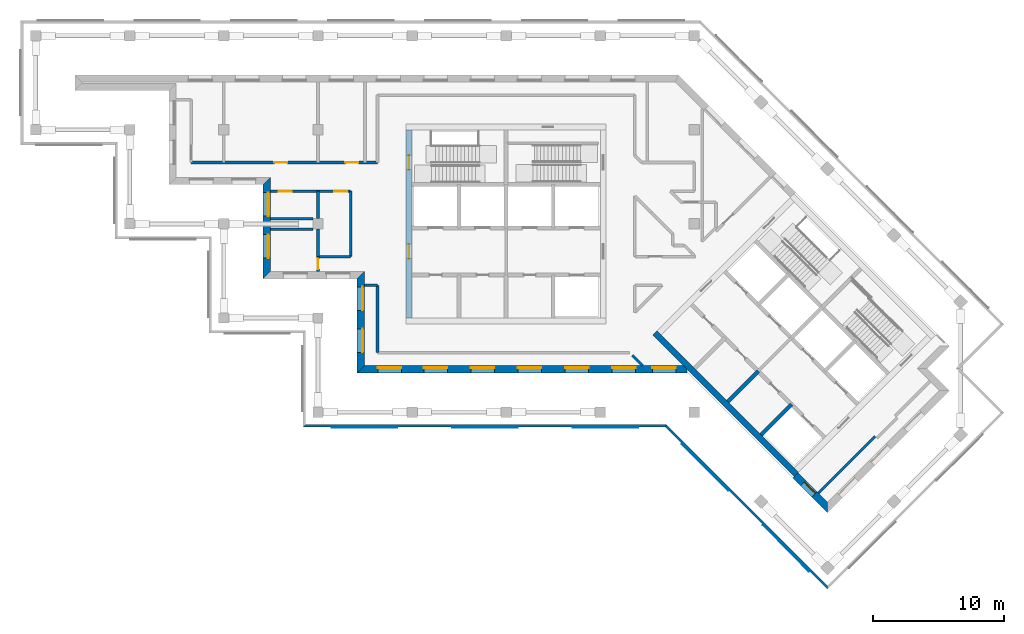
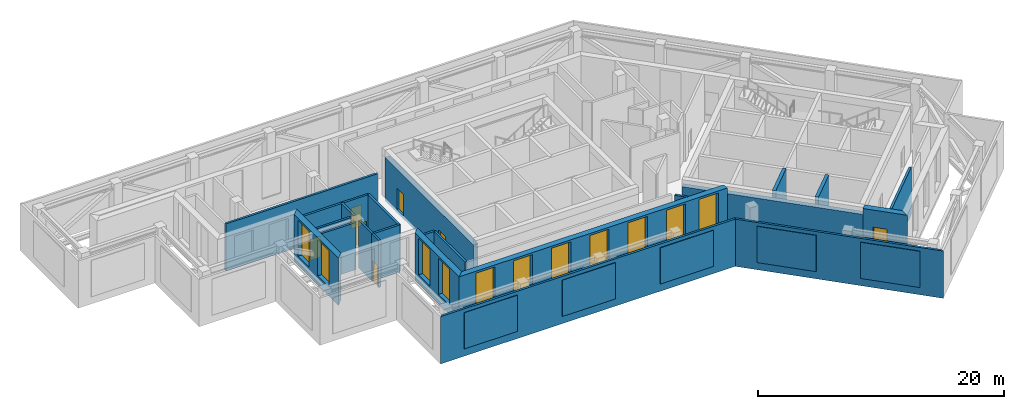
# One storey, part 3 of 9: 23 walls, 12 windows, 7 doors, 5 plates, 19 openings.
"""IFC4 building model written with IfcOpenShell, lengths in metres."""

from ifc_helpers import new_model, si_unit, direction, frame, frame_2d, origin, place, context, subcontext, project, spatial, polyline, rectangle, outline, extrude, material, layer, layer_set, type_object, element, fill, aggregate, save


model = new_model("IFC4")

# Units and contexts
model_context = context("Model", 3, precision=1e-05, world=origin(), true_north=direction((0.0, 1.0)))
body_context = subcontext(model_context, "Body", "Model", "MODEL_VIEW")
ifc_project = project(units=[si_unit("LENGTHUNIT", "METRE"), si_unit("AREAUNIT", "SQUARE_METRE"), si_unit("VOLUMEUNIT", "CUBIC_METRE"), si_unit("PLANEANGLEUNIT", "RADIAN"), si_unit("MASSUNIT", "GRAM", prefix="KILO")], contexts=[model_context])

# Plate
ifc_material_1 = material(Name="Aluminium louvre", Category="aluminium")
ifc_layer_1 = layer(ifc_material_1, 0.05)
ifc_layer_set_1 = layer_set([ifc_layer_1], Name="Belt louvre panel 5000x3600")
plate_type = type_object("IfcPlateType", Name="Belt louvre panel 5000x3600", PredefinedType="SHEET", material=ifc_layer_set_1)
site_placement = place(None, origin())
building_placement = place(site_placement, origin())
storey_placement = place(building_placement, frame((0.0, 0.0, 234.6)))
plate_1_placement = place(storey_placement, frame((51.4613, 42.0, 0.75), z_axis=(0.0, -1.0, 0.0), x_axis=(1.0, 0.0, 0.0)))
plate_1 = element("IfcPlate", 1, at=plate_1_placement, type_object=plate_type, Name="Belt louvre panel L64 63.1", PredefinedType="SHEET", context=body_context, shape_type="SweptSolid", body=[
    extrude(outline(polyline([(0.0, 0.0), (5.0, 0.0), (5.0, 3.6), (0.0, 3.6), (0.0, 0.0)])), origin(), (0.0, 0.0, -1.0), 0.05),
])

plate_2_placement = place(storey_placement, frame((60.684, 42.0, 0.75), z_axis=(0.0, -1.0, 0.0), x_axis=(1.0, 0.0, 0.0)))
plate_2 = element("IfcPlate", 2, at=plate_2_placement, type_object=plate_type, Name="Belt louvre panel L64 64.2", PredefinedType="SHEET", context=body_context, shape_type="SweptSolid", body=[
    extrude(outline(polyline([(0.0, 0.0), (5.0, 0.0), (5.0, 3.6), (0.0, 3.6), (0.0, 0.0)])), origin(), (0.0, 0.0, -1.0), 0.05),
])

plate_3_placement = place(storey_placement, frame((69.9067, 42.0, 0.75), z_axis=(0.0, -1.0, 0.0), x_axis=(1.0, 0.0, 0.0)))
plate_3 = element("IfcPlate", 3, at=plate_3_placement, type_object=plate_type, Name="Belt louvre panel L64 65.3", PredefinedType="SHEET", context=body_context, shape_type="SweptSolid", body=[
    extrude(outline(polyline([(0.0, 0.0), (5.0, 0.0), (5.0, 3.6), (0.0, 3.6), (0.0, 0.0)])), origin(), (0.0, 0.0, -1.0), 0.05),
])

plate_4_placement = place(storey_placement, frame((78.2353, 40.7207, 0.75), z_axis=(-0.7071167811, -0.7070967812, 0.0), x_axis=(0.7070967812, -0.7071167811, 0.0)))
plate_4 = element("IfcPlate", 4, at=plate_4_placement, type_object=plate_type, Name="Belt louvre panel L64 70.1", PredefinedType="SHEET", context=body_context, shape_type="SweptSolid", body=[
    extrude(outline(polyline([(0.0, 0.0), (5.0, 0.0), (5.0, 3.6), (0.0, 3.6), (0.0, 0.0)])), origin(), (0.0, 0.0, -1.0), 0.05),
])

plate_5_placement = place(storey_placement, frame((84.4174, 34.5385, 0.75), z_axis=(-0.7070967812, -0.7071167811, 0.0), x_axis=(0.7071167811, -0.7070967812, 0.0)))
plate_5 = element("IfcPlate", 5, at=plate_5_placement, type_object=plate_type, Name="Belt louvre panel L64 71.2", PredefinedType="SHEET", context=body_context, shape_type="SweptSolid", body=[
    extrude(outline(polyline([(0.0, 0.0), (5.0, 0.0), (5.0, 3.6), (0.0, 3.6), (0.0, 0.0)])), origin(), (0.0, 0.0, -1.0), 0.05),
])

# Site, building, storey
site = spatial("IfcSite", under=ifc_project, at=site_placement, CompositionType="ELEMENT")
building = spatial("IfcBuilding", under=site, at=building_placement, Name="Windrow Commons", CompositionType="ELEMENT")
storey = spatial("IfcBuildingStorey", under=building, at=storey_placement, Name="L64", CompositionType="ELEMENT", Elevation=234.6)

# Wall
ifc_material_2 = material(Name="Concrete C40/50 precast screen panel", Category="concrete")
ifc_layer_2 = layer(ifc_material_2, 0.2)
ifc_layer_set_2 = layer_set([ifc_layer_2], Name="Belt screen wall 200")
wall_type_1 = type_object("IfcWallType", Name="Belt screen wall 200", PredefinedType="SOLIDWALL", material=ifc_layer_set_2)
wall_1_placement = place(storey_placement, frame((49.35, 42.15, 0.0), z_axis=(0.0, 0.0, 1.0), x_axis=(1.0, 0.0, 0.0)))
wall_1 = element("IfcWall", 6, at=wall_1_placement, inside=storey, type_object=wall_type_1, Name="Belt screen wall L64 63", PredefinedType="SOLIDWALL", context=body_context, shape_type="SweptSolid", body=[
    extrude(outline(polyline([(-0.1, -0.1), (27.6266, -0.1), (27.7095, 0.1), (0.1, 0.1), (-0.1, -0.1)])), origin(), (0.0, 0.0, 1.0), 4.7),
])

aggregate(wall_1, [plate_1, plate_2, plate_3])

wall_2_placement = place(storey_placement, frame((77.0181, 42.15, 0.0), z_axis=(0.0, 0.0, 1.0), x_axis=(0.7071039217, -0.7071096407, 0.0)))
wall_2 = element("IfcWall", 7, at=wall_2_placement, inside=storey, type_object=wall_type_1, Name="Belt screen wall L64 70", PredefinedType="SOLIDWALL", context=body_context, shape_type="SweptSolid", body=[
    extrude(outline(polyline([(0.0414, -0.1), (17.5857, -0.1), (17.3857, 0.1), (-0.0414, 0.1), (0.0414, -0.1)])), origin(), (0.0, 0.0, 1.0), 4.7),
])

aggregate(wall_2, [plate_4, plate_5])

# Wall, openings, windows
ifc_material_3 = material(Name="Brick masonry, red clay brick", Category="masonry")
ifc_layer_3 = layer(ifc_material_3, 0.55)
ifc_layer_set_3 = layer_set([ifc_layer_3], Name="Brick facade wall 550")
wall_type_2 = type_object("IfcWallType", Name="Brick facade wall 550", PredefinedType="SOLIDWALL", material=ifc_layer_set_3)
wall_3_placement = place(storey_placement, frame((46.475, 60.875, 0.0), z_axis=(0.0, 0.0, 1.0), x_axis=(0.0, -1.0, 0.0)))
wall_3 = element("IfcWall", 8, at=wall_3_placement, inside=storey, type_object=wall_type_2, Name="Brick facade wall L64 9", PredefinedType="SOLIDWALL", context=body_context, shape_type="SweptSolid", body=[
    extrude(outline(polyline([(0.275, -0.275), (7.475, -0.275), (6.925, 0.275), (-0.275, 0.275), (0.275, -0.275)])), origin(), (0.0, 0.0, 1.0), 4.7),
])
opening_1_placement = place(wall_3_placement, frame((0.8875, 0.0, 0.9)))
opening_1 = element("IfcOpeningElement", 9, at=opening_1_placement, cuts=wall_3, Name="Opening LV2", PredefinedType="OPENING", context=body_context, shape_type="SweptSolid", body=[
    extrude(rectangle(XDim=1.8, YDim=3.6, at=frame_2d((0.9, 1.8))), frame((0.0, 0.285, 0.0), z_axis=(0.0, -1.0, 0.0), x_axis=(1.0, 0.0, 0.0)), (0.0, 0.0, 1.0), 0.57),
])
opening_2_placement = place(wall_3_placement, frame((4.1, 0.0, 0.9)))
opening_2 = element("IfcOpeningElement", 10, at=opening_2_placement, cuts=wall_3, Name="Opening LV2", PredefinedType="OPENING", context=body_context, shape_type="SweptSolid", body=[
    extrude(rectangle(XDim=1.8, YDim=3.6, at=frame_2d((0.9, 1.8))), frame((0.0, 0.285, 0.0), z_axis=(0.0, -1.0, 0.0), x_axis=(1.0, 0.0, 0.0)), (0.0, 0.0, 1.0), 0.57),
])
ifc_material_4 = material(Name="Aluminium 6063-T6 anodised louvre", Category="aluminium")
window_type_1 = type_object("IfcWindowType", Name="Plant louvre 1800x3600", PartitioningType="SINGLE_PANEL", PredefinedType="WINDOW", material=ifc_material_4)
window_1_placement = place(opening_1_placement, origin())
window_1 = element("IfcWindow", 11, at=window_1_placement, inside=storey, type_object=window_type_1, Name="Louvre L64 9.1", OverallHeight=3.6, OverallWidth=1.8, PartitioningType="SINGLE_PANEL", PredefinedType="WINDOW", context=body_context, shape_type="SweptSolid", body=[
    extrude(rectangle(XDim=1.8, YDim=3.6, at=frame_2d((0.9, 1.8))), frame((0.0, 0.155, 0.0), z_axis=(0.0, -1.0, 0.0), x_axis=(1.0, 0.0, 0.0)), (0.0, 0.0, 1.0), 0.06),
])
fill(opening_1, window_1)
window_2_placement = place(opening_2_placement, origin())
window_2 = element("IfcWindow", 12, at=window_2_placement, inside=storey, type_object=window_type_1, Name="Louvre L64 9.2", OverallHeight=3.6, OverallWidth=1.8, PartitioningType="SINGLE_PANEL", PredefinedType="WINDOW", context=body_context, shape_type="SweptSolid", body=[
    extrude(rectangle(XDim=1.8, YDim=3.6, at=frame_2d((0.9, 1.8))), frame((0.0, 0.155, 0.0), z_axis=(0.0, -1.0, 0.0), x_axis=(1.0, 0.0, 0.0)), (0.0, 0.0, 1.0), 0.06),
])
fill(opening_2, window_2)

wall_4_placement = place(storey_placement, frame((53.675, 53.675, 0.0), z_axis=(0.0, 0.0, 1.0), x_axis=(0.0, -1.0, 0.0)))
wall_4 = element("IfcWall", 13, at=wall_4_placement, inside=storey, type_object=wall_type_2, Name="Brick facade wall L64 11", PredefinedType="SOLIDWALL", context=body_context, shape_type="SweptSolid", body=[
    extrude(outline(polyline([(0.275, -0.275), (7.475, -0.275), (6.925, 0.275), (-0.275, 0.275), (0.275, -0.275)])), origin(), (0.0, 0.0, 1.0), 4.7),
])
opening_3_placement = place(wall_4_placement, frame((0.8875, 0.0, 0.9)))
opening_3 = element("IfcOpeningElement", 14, at=opening_3_placement, cuts=wall_4, Name="Opening LV2", PredefinedType="OPENING", context=body_context, shape_type="SweptSolid", body=[
    extrude(rectangle(XDim=1.8, YDim=3.6, at=frame_2d((0.9, 1.8))), frame((0.0, 0.285, 0.0), z_axis=(0.0, -1.0, 0.0), x_axis=(1.0, 0.0, 0.0)), (0.0, 0.0, 1.0), 0.57),
])
opening_4_placement = place(wall_4_placement, frame((4.1, 0.0, 0.9)))
opening_4 = element("IfcOpeningElement", 15, at=opening_4_placement, cuts=wall_4, Name="Opening LV2", PredefinedType="OPENING", context=body_context, shape_type="SweptSolid", body=[
    extrude(rectangle(XDim=1.8, YDim=3.6, at=frame_2d((0.9, 1.8))), frame((0.0, 0.285, 0.0), z_axis=(0.0, -1.0, 0.0), x_axis=(1.0, 0.0, 0.0)), (0.0, 0.0, 1.0), 0.57),
])
window_3_placement = place(opening_3_placement, origin())
window_3 = element("IfcWindow", 16, at=window_3_placement, inside=storey, type_object=window_type_1, Name="Louvre L64 11.1", OverallHeight=3.6, OverallWidth=1.8, PartitioningType="SINGLE_PANEL", PredefinedType="WINDOW", context=body_context, shape_type="SweptSolid", body=[
    extrude(rectangle(XDim=1.8, YDim=3.6, at=frame_2d((0.9, 1.8))), frame((0.0, 0.155, 0.0), z_axis=(0.0, -1.0, 0.0), x_axis=(1.0, 0.0, 0.0)), (0.0, 0.0, 1.0), 0.06),
])
fill(opening_3, window_3)
window_4_placement = place(opening_4_placement, origin())
window_4 = element("IfcWindow", 17, at=window_4_placement, inside=storey, type_object=window_type_1, Name="Louvre L64 11.2", OverallHeight=3.6, OverallWidth=1.8, PartitioningType="SINGLE_PANEL", PredefinedType="WINDOW", context=body_context, shape_type="SweptSolid", body=[
    extrude(rectangle(XDim=1.8, YDim=3.6, at=frame_2d((0.9, 1.8))), frame((0.0, 0.155, 0.0), z_axis=(0.0, -1.0, 0.0), x_axis=(1.0, 0.0, 0.0)), (0.0, 0.0, 1.0), 0.06),
])
fill(opening_4, window_4)

wall_5_placement = place(storey_placement, frame((53.675, 46.475, 0.0), z_axis=(0.0, 0.0, 1.0), x_axis=(1.0, 0.0, 0.0)))
wall_5 = element("IfcWall", 18, at=wall_5_placement, inside=storey, type_object=wall_type_2, Name="Brick facade wall L64 12", PredefinedType="SOLIDWALL", context=body_context, shape_type="SweptSolid", body=[
    extrude(outline(polyline([(-0.275, -0.275), (24.9577, -0.275), (24.9577, 0.275), (0.275, 0.275), (-0.275, -0.275)])), origin(), (0.0, 0.0, 1.0), 4.7),
])
opening_5_placement = place(wall_5_placement, frame((1.3, 0.0, 0.9)))
opening_5 = element("IfcOpeningElement", 19, at=opening_5_placement, cuts=wall_5, Name="Opening LV2", PredefinedType="OPENING", context=body_context, shape_type="SweptSolid", body=[
    extrude(rectangle(XDim=1.8, YDim=3.6, at=frame_2d((0.9, 1.8))), frame((0.0, 0.285, 0.0), z_axis=(0.0, -1.0, 0.0), x_axis=(1.0, 0.0, 0.0)), (0.0, 0.0, 1.0), 0.57),
])
opening_6_placement = place(wall_5_placement, frame((4.825, 0.0, 0.9)))
opening_6 = element("IfcOpeningElement", 20, at=opening_6_placement, cuts=wall_5, Name="Opening LV2", PredefinedType="OPENING", context=body_context, shape_type="SweptSolid", body=[
    extrude(rectangle(XDim=1.8, YDim=3.6, at=frame_2d((0.9, 1.8))), frame((0.0, 0.285, 0.0), z_axis=(0.0, -1.0, 0.0), x_axis=(1.0, 0.0, 0.0)), (0.0, 0.0, 1.0), 0.57),
])
opening_7_placement = place(wall_5_placement, frame((8.425, 0.0, 0.9)))
opening_7 = element("IfcOpeningElement", 21, at=opening_7_placement, cuts=wall_5, Name="Opening LV2", PredefinedType="OPENING", context=body_context, shape_type="SweptSolid", body=[
    extrude(rectangle(XDim=1.8, YDim=3.6, at=frame_2d((0.9, 1.8))), frame((0.0, 0.285, 0.0), z_axis=(0.0, -1.0, 0.0), x_axis=(1.0, 0.0, 0.0)), (0.0, 0.0, 1.0), 0.57),
])
opening_8_placement = place(wall_5_placement, frame((12.025, 0.0, 0.9)))
opening_8 = element("IfcOpeningElement", 22, at=opening_8_placement, cuts=wall_5, Name="Opening LV2", PredefinedType="OPENING", context=body_context, shape_type="SweptSolid", body=[
    extrude(rectangle(XDim=1.8, YDim=3.6, at=frame_2d((0.9, 1.8))), frame((0.0, 0.285, 0.0), z_axis=(0.0, -1.0, 0.0), x_axis=(1.0, 0.0, 0.0)), (0.0, 0.0, 1.0), 0.57),
])
opening_9_placement = place(wall_5_placement, frame((15.625, 0.0, 0.9)))
opening_9 = element("IfcOpeningElement", 23, at=opening_9_placement, cuts=wall_5, Name="Opening LV2", PredefinedType="OPENING", context=body_context, shape_type="SweptSolid", body=[
    extrude(rectangle(XDim=1.8, YDim=3.6, at=frame_2d((0.9, 1.8))), frame((0.0, 0.285, 0.0), z_axis=(0.0, -1.0, 0.0), x_axis=(1.0, 0.0, 0.0)), (0.0, 0.0, 1.0), 0.57),
])
opening_10_placement = place(wall_5_placement, frame((19.225, 0.0, 0.9)))
opening_10 = element("IfcOpeningElement", 24, at=opening_10_placement, cuts=wall_5, Name="Opening LV2", PredefinedType="OPENING", context=body_context, shape_type="SweptSolid", body=[
    extrude(rectangle(XDim=1.8, YDim=3.6, at=frame_2d((0.9, 1.8))), frame((0.0, 0.285, 0.0), z_axis=(0.0, -1.0, 0.0), x_axis=(1.0, 0.0, 0.0)), (0.0, 0.0, 1.0), 0.57),
])
opening_11_placement = place(wall_5_placement, frame((22.3, 0.0, 0.9)))
opening_11 = element("IfcOpeningElement", 25, at=opening_11_placement, cuts=wall_5, Name="Opening LV2", PredefinedType="OPENING", context=body_context, shape_type="SweptSolid", body=[
    extrude(rectangle(XDim=1.8, YDim=3.6, at=frame_2d((0.9, 1.8))), frame((0.0, 0.285, 0.0), z_axis=(0.0, -1.0, 0.0), x_axis=(1.0, 0.0, 0.0)), (0.0, 0.0, 1.0), 0.57),
])
window_5_placement = place(opening_5_placement, origin())
window_5 = element("IfcWindow", 26, at=window_5_placement, inside=storey, type_object=window_type_1, Name="Louvre L64 12.1", OverallHeight=3.6, OverallWidth=1.8, PartitioningType="SINGLE_PANEL", PredefinedType="WINDOW", context=body_context, shape_type="SweptSolid", body=[
    extrude(rectangle(XDim=1.8, YDim=3.6, at=frame_2d((0.9, 1.8))), frame((0.0, 0.155, 0.0), z_axis=(0.0, -1.0, 0.0), x_axis=(1.0, 0.0, 0.0)), (0.0, 0.0, 1.0), 0.06),
])
fill(opening_5, window_5)
window_6_placement = place(opening_6_placement, origin())
window_6 = element("IfcWindow", 27, at=window_6_placement, inside=storey, type_object=window_type_1, Name="Louvre L64 12.2", OverallHeight=3.6, OverallWidth=1.8, PartitioningType="SINGLE_PANEL", PredefinedType="WINDOW", context=body_context, shape_type="SweptSolid", body=[
    extrude(rectangle(XDim=1.8, YDim=3.6, at=frame_2d((0.9, 1.8))), frame((0.0, 0.155, 0.0), z_axis=(0.0, -1.0, 0.0), x_axis=(1.0, 0.0, 0.0)), (0.0, 0.0, 1.0), 0.06),
])
fill(opening_6, window_6)
window_7_placement = place(opening_7_placement, origin())
window_7 = element("IfcWindow", 28, at=window_7_placement, inside=storey, type_object=window_type_1, Name="Louvre L64 12.3", OverallHeight=3.6, OverallWidth=1.8, PartitioningType="SINGLE_PANEL", PredefinedType="WINDOW", context=body_context, shape_type="SweptSolid", body=[
    extrude(rectangle(XDim=1.8, YDim=3.6, at=frame_2d((0.9, 1.8))), frame((0.0, 0.155, 0.0), z_axis=(0.0, -1.0, 0.0), x_axis=(1.0, 0.0, 0.0)), (0.0, 0.0, 1.0), 0.06),
])
fill(opening_7, window_7)
window_8_placement = place(opening_8_placement, origin())
window_8 = element("IfcWindow", 29, at=window_8_placement, inside=storey, type_object=window_type_1, Name="Louvre L64 12.4", OverallHeight=3.6, OverallWidth=1.8, PartitioningType="SINGLE_PANEL", PredefinedType="WINDOW", context=body_context, shape_type="SweptSolid", body=[
    extrude(rectangle(XDim=1.8, YDim=3.6, at=frame_2d((0.9, 1.8))), frame((0.0, 0.155, 0.0), z_axis=(0.0, -1.0, 0.0), x_axis=(1.0, 0.0, 0.0)), (0.0, 0.0, 1.0), 0.06),
])
fill(opening_8, window_8)
window_9_placement = place(opening_9_placement, origin())
window_9 = element("IfcWindow", 30, at=window_9_placement, inside=storey, type_object=window_type_1, Name="Louvre L64 12.5", OverallHeight=3.6, OverallWidth=1.8, PartitioningType="SINGLE_PANEL", PredefinedType="WINDOW", context=body_context, shape_type="SweptSolid", body=[
    extrude(rectangle(XDim=1.8, YDim=3.6, at=frame_2d((0.9, 1.8))), frame((0.0, 0.155, 0.0), z_axis=(0.0, -1.0, 0.0), x_axis=(1.0, 0.0, 0.0)), (0.0, 0.0, 1.0), 0.06),
])
fill(opening_9, window_9)
window_10_placement = place(opening_10_placement, origin())
window_10 = element("IfcWindow", 31, at=window_10_placement, inside=storey, type_object=window_type_1, Name="Louvre L64 12.6", OverallHeight=3.6, OverallWidth=1.8, PartitioningType="SINGLE_PANEL", PredefinedType="WINDOW", context=body_context, shape_type="SweptSolid", body=[
    extrude(rectangle(XDim=1.8, YDim=3.6, at=frame_2d((0.9, 1.8))), frame((0.0, 0.155, 0.0), z_axis=(0.0, -1.0, 0.0), x_axis=(1.0, 0.0, 0.0)), (0.0, 0.0, 1.0), 0.06),
])
fill(opening_10, window_10)
window_11_placement = place(opening_11_placement, origin())
window_11 = element("IfcWindow", 32, at=window_11_placement, inside=storey, type_object=window_type_1, Name="Louvre L64 12.7", OverallHeight=3.6, OverallWidth=1.8, PartitioningType="SINGLE_PANEL", PredefinedType="WINDOW", context=body_context, shape_type="SweptSolid", body=[
    extrude(rectangle(XDim=1.8, YDim=3.6, at=frame_2d((0.9, 1.8))), frame((0.0, 0.155, 0.0), z_axis=(0.0, -1.0, 0.0), x_axis=(1.0, 0.0, 0.0)), (0.0, 0.0, 1.0), 0.06),
])
fill(opening_11, window_11)

# Wall, opening, window
wall_6_placement = place(storey_placement, frame((86.9252, 38.3594, 0.0), z_axis=(0.0, 0.0, 1.0), x_axis=(0.7070923923, -0.7071211698, 0.0)))
wall_6 = element("IfcWall", 33, at=wall_6_placement, inside=storey, type_object=wall_type_2, Name="Brick facade wall L64 13", PredefinedType="SOLIDWALL", context=body_context, shape_type="SweptSolid", body=[
    extrude(outline(polyline([(0.0, -0.275), (3.7499, -0.275), (3.1999, 0.275), (0.0, 0.275), (0.0, -0.275)])), origin(), (0.0, 0.0, 1.0), 4.7),
])
opening_12_placement = place(wall_6_placement, frame((0.8494, 0.0, 0.7)))
opening_12 = element("IfcOpeningElement", 34, at=opening_12_placement, cuts=wall_6, Name="Opening W7C", PredefinedType="OPENING", context=body_context, shape_type="SweptSolid", body=[
    extrude(rectangle(XDim=1.2, YDim=2.3, at=frame_2d((0.6, 1.15))), frame((0.0, 0.285, 0.0), z_axis=(0.0, -1.0, 0.0), x_axis=(1.0, 0.0, 0.0)), (0.0, 0.0, 1.0), 0.57),
])
ifc_material_5 = material(Name="Clear float glass in anodised aluminium frame", Category="aluminium")
window_type_2 = type_object("IfcWindowType", Name="Window W7 notch 1200x2300", PartitioningType="SINGLE_PANEL", PredefinedType="WINDOW", material=ifc_material_5)
window_12_placement = place(opening_12_placement, origin())
window_12 = element("IfcWindow", 35, at=window_12_placement, inside=storey, type_object=window_type_2, Name="Louvre L64 13.1A", OverallHeight=2.3, OverallWidth=1.2, PartitioningType="SINGLE_PANEL", PredefinedType="WINDOW", context=body_context, shape_type="SweptSolid", body=[
    extrude(rectangle(XDim=1.2, YDim=2.3, at=frame_2d((0.6, 1.15))), frame((0.0, 0.155, 0.0), z_axis=(0.0, -1.0, 0.0), x_axis=(1.0, 0.0, 0.0)), (0.0, 0.0, 1.0), 0.06),
])
fill(opening_12, window_12)

# Wall, openings, doors
ifc_material_6 = material(Name="Blockwork partition", Category="masonry")
ifc_layer_4 = layer(ifc_material_6, 0.2)
ifc_layer_set_4 = layer_set([ifc_layer_4], Name="IW-CORRIDOR-200")
wall_type_3 = type_object("IfcWallType", Name="IW-CORRIDOR-200", PredefinedType="PARTITIONING", material=ifc_layer_set_4)
wall_7_placement = place(storey_placement, frame((40.702, 62.3, 0.0), z_axis=(0.0, 0.0, 1.0), x_axis=(1.0, 0.0, 0.0)))
wall_7 = element("IfcWall", 36, at=wall_7_placement, inside=storey, type_object=wall_type_3, Name="W-L64-W002", PredefinedType="PARTITIONING", context=body_context, shape_type="SweptSolid", body=[
    extrude(rectangle(XDim=14.248, YDim=0.2, at=frame_2d((7.124, 0.0))), origin(), (0.0, 0.0, 1.0), 4.7),
])
opening_13_placement = place(wall_7_placement, frame((6.3605, 0.0, 0.0)))
opening_13 = element("IfcOpeningElement", 37, at=opening_13_placement, cuts=wall_7, Name="Opening D410F", PredefinedType="OPENING", context=body_context, shape_type="SweptSolid", body=[
    extrude(rectangle(XDim=1.0, YDim=2.1, at=frame_2d((0.5, 1.05))), frame((0.0, 0.11, 0.0), z_axis=(0.0, -1.0, 0.0), x_axis=(1.0, 0.0, 0.0)), (0.0, 0.0, 1.0), 0.22),
])
opening_14_placement = place(wall_7_placement, frame((11.7905, 0.0, 0.0)))
opening_14 = element("IfcOpeningElement", 38, at=opening_14_placement, cuts=wall_7, Name="Opening D410F", PredefinedType="OPENING", context=body_context, shape_type="SweptSolid", body=[
    extrude(rectangle(XDim=1.0, YDim=2.1, at=frame_2d((0.5, 1.05))), frame((0.0, 0.11, 0.0), z_axis=(0.0, -1.0, 0.0), x_axis=(1.0, 0.0, 0.0)), (0.0, 0.0, 1.0), 0.22),
])
ifc_material_7 = material(Name="Timber door leaf", Category="wood")
door_type_1 = type_object("IfcDoorType", Name="DT-SERVICE-1000", OperationType="SINGLE_SWING_LEFT", PredefinedType="DOOR", material=ifc_material_7)
door_1_placement = place(opening_13_placement, origin())
door_1 = element("IfcDoor", 39, at=door_1_placement, inside=storey, type_object=door_type_1, Name="D-L64-D004", OperationType="SINGLE_SWING_RIGHT", OverallHeight=2.1, OverallWidth=1.0, PredefinedType="DOOR", context=body_context, shape_type="SweptSolid", body=[
    extrude(rectangle(XDim=1.0, YDim=2.1, at=frame_2d((0.5, 1.05))), frame((0.0, 0.025, 0.0), z_axis=(0.0, -1.0, 0.0), x_axis=(1.0, 0.0, 0.0)), (0.0, 0.0, 1.0), 0.05),
])
fill(opening_13, door_1)
door_2_placement = place(opening_14_placement, origin())
door_2 = element("IfcDoor", 40, at=door_2_placement, inside=storey, type_object=door_type_1, Name="D-L64-D005", OperationType="SINGLE_SWING_RIGHT", OverallHeight=2.1, OverallWidth=1.0, PredefinedType="DOOR", context=body_context, shape_type="SweptSolid", body=[
    extrude(rectangle(XDim=1.0, YDim=2.1, at=frame_2d((0.5, 1.05))), frame((0.0, 0.025, 0.0), z_axis=(0.0, -1.0, 0.0), x_axis=(1.0, 0.0, 0.0)), (0.0, 0.0, 1.0), 0.05),
])
fill(opening_14, door_2)

wall_8_placement = place(storey_placement, frame((46.75, 60.1, 0.0), z_axis=(0.0, 0.0, 1.0), x_axis=(1.0, 0.0, 0.0)))
wall_8 = element("IfcWall", 41, at=wall_8_placement, inside=storey, type_object=wall_type_3, Name="W-L64-W004", PredefinedType="PARTITIONING", context=body_context, shape_type="SweptSolid", body=[
    extrude(rectangle(XDim=6.15, YDim=0.2, at=frame_2d((3.075, 0.0))), origin(), (0.0, 0.0, 1.0), 4.7),
])
opening_15_placement = place(wall_8_placement, frame((0.6464, 0.0, 0.0)))
opening_15 = element("IfcOpeningElement", 42, at=opening_15_placement, cuts=wall_8, Name="Opening D410F", PredefinedType="OPENING", context=body_context, shape_type="SweptSolid", body=[
    extrude(rectangle(XDim=1.0, YDim=2.1, at=frame_2d((0.5, 1.05))), frame((0.0, 0.11, 0.0), z_axis=(0.0, -1.0, 0.0), x_axis=(1.0, 0.0, 0.0)), (0.0, 0.0, 1.0), 0.22),
])
opening_16_placement = place(wall_8_placement, frame((4.8971, 0.0, 0.0)))
opening_16 = element("IfcOpeningElement", 43, at=opening_16_placement, cuts=wall_8, Name="Opening D410F", PredefinedType="OPENING", context=body_context, shape_type="SweptSolid", body=[
    extrude(rectangle(XDim=1.0, YDim=2.1, at=frame_2d((0.5, 1.05))), frame((0.0, 0.11, 0.0), z_axis=(0.0, -1.0, 0.0), x_axis=(1.0, 0.0, 0.0)), (0.0, 0.0, 1.0), 0.22),
])
door_3_placement = place(opening_15_placement, origin())
door_3 = element("IfcDoor", 44, at=door_3_placement, inside=storey, type_object=door_type_1, Name="D-L64-D000", OperationType="SINGLE_SWING_RIGHT", OverallHeight=2.1, OverallWidth=1.0, PredefinedType="DOOR", context=body_context, shape_type="SweptSolid", body=[
    extrude(rectangle(XDim=1.0, YDim=2.1, at=frame_2d((0.5, 1.05))), frame((0.0, 0.025, 0.0), z_axis=(0.0, -1.0, 0.0), x_axis=(1.0, 0.0, 0.0)), (0.0, 0.0, 1.0), 0.05),
])
fill(opening_15, door_3)
door_4_placement = place(opening_16_placement, origin())
door_4 = element("IfcDoor", 45, at=door_4_placement, inside=storey, type_object=door_type_1, Name="D-L64-D001", OperationType="SINGLE_SWING_LEFT", OverallHeight=2.1, OverallWidth=1.0, PredefinedType="DOOR", context=body_context, shape_type="SweptSolid", body=[
    extrude(rectangle(XDim=1.0, YDim=2.1, at=frame_2d((0.5, 1.05))), frame((0.0, 0.025, 0.0), z_axis=(0.0, -1.0, 0.0), x_axis=(1.0, 0.0, 0.0)), (0.0, 0.0, 1.0), 0.05),
])
fill(opening_16, door_4)

# Walls
wall_9_placement = place(storey_placement, frame((88.6744, 36.999, 0.0), z_axis=(0.0, 0.0, 1.0), x_axis=(0.7071067812, 0.7071067812, 0.0)))
element("IfcWall", 46, at=wall_9_placement, inside=storey, type_object=wall_type_3, Name="W-L64-W007", PredefinedType="PARTITIONING", context=body_context, shape_type="SweptSolid", body=[
    extrude(rectangle(XDim=6.1494, YDim=0.2, at=frame_2d((3.0747, 0.0))), origin(), (0.0, 0.0, 1.0), 4.7),
])
wall_10_placement = place(storey_placement, frame((54.95, 47.75, 0.0), z_axis=(0.0, 0.0, 1.0), x_axis=(0.0, 1.0, 0.0)))
element("IfcWall", 47, at=wall_10_placement, inside=storey, type_object=wall_type_3, Name="W-L64-W009", PredefinedType="PARTITIONING", context=body_context, shape_type="SweptSolid", body=[
    extrude(rectangle(XDim=5.15, YDim=0.2, at=frame_2d((2.575, 0.0))), origin(), (0.0, 0.0, 1.0), 4.7),
])
wall_11_placement = place(storey_placement, frame((52.9, 55.102, 0.0), z_axis=(0.0, 0.0, 1.0), x_axis=(0.0, 1.0, 0.0)))
element("IfcWall", 48, at=wall_11_placement, inside=storey, type_object=wall_type_3, Name="W-L64-W011", PredefinedType="PARTITIONING", context=body_context, shape_type="SweptSolid", body=[
    extrude(rectangle(XDim=4.998, YDim=0.2, at=frame_2d((2.499, 0.0))), origin(), (0.0, 0.0, 1.0), 4.7),
])
wall_12_placement = place(storey_placement, frame((50.4, 55.1, 0.0), z_axis=(0.0, 0.0, 1.0), x_axis=(1.0, 0.0, 0.0)))
element("IfcWall", 49, at=wall_12_placement, inside=storey, type_object=wall_type_3, Name="W-L64-W024", PredefinedType="PARTITIONING", context=body_context, shape_type="SweptSolid", body=[
    extrude(rectangle(XDim=2.5, YDim=0.2, at=frame_2d((1.25, 0.0))), origin(), (0.0, 0.0, 1.0), 4.7),
])

# Wall, opening, door
wall_13_placement = place(storey_placement, frame((50.4, 53.95, 0.0), z_axis=(0.0, 0.0, 1.0), x_axis=(0.0, 1.0, 0.0)))
wall_13 = element("IfcWall", 50, at=wall_13_placement, inside=storey, type_object=wall_type_3, Name="W-L64-W041", PredefinedType="PARTITIONING", context=body_context, shape_type="SweptSolid", body=[
    extrude(rectangle(XDim=1.15, YDim=0.2, at=frame_2d((0.575, 0.0))), origin(), (0.0, 0.0, 1.0), 4.7),
])
opening_17_placement = place(wall_13_placement, frame((0.1945, 0.0, 0.0)))
opening_17 = element("IfcOpeningElement", 51, at=opening_17_placement, cuts=wall_13, Name="Opening D208N", PredefinedType="OPENING", context=body_context, shape_type="SweptSolid", body=[
    extrude(rectangle(XDim=0.8, YDim=2.1, at=frame_2d((0.4, 1.05))), frame((0.0, 0.11, 0.0), z_axis=(0.0, -1.0, 0.0), x_axis=(1.0, 0.0, 0.0)), (0.0, 0.0, 1.0), 0.22),
])
ifc_material_8 = material(Name="Timber door leaf", Category="wood")
door_type_2 = type_object("IfcDoorType", Name="DT-ENSUITE-800", OperationType="SINGLE_SWING_LEFT", PredefinedType="DOOR", material=ifc_material_8)
door_5_placement = place(opening_17_placement, origin())
door_5 = element("IfcDoor", 52, at=door_5_placement, inside=storey, type_object=door_type_2, Name="D-L64-DX01", OperationType="SINGLE_SWING_LEFT", OverallHeight=2.1, OverallWidth=0.8, PredefinedType="DOOR", context=body_context, shape_type="SweptSolid", body=[
    extrude(rectangle(XDim=0.8, YDim=2.1, at=frame_2d((0.4, 1.05))), frame((0.0, 0.025, 0.0), z_axis=(0.0, -1.0, 0.0), x_axis=(1.0, 0.0, 0.0)), (0.0, 0.0, 1.0), 0.05),
])
fill(opening_17, door_5)

# Walls
wall_14_placement = place(storey_placement, frame((74.459, 47.531, 0.0), z_axis=(0.0, 0.0, 1.0), x_axis=(0.7071520462, -0.7070615133, 0.0)))
element("IfcWall", 53, at=wall_14_placement, inside=storey, type_object=wall_type_3, Name="W-L64-W042", PredefinedType="PARTITIONING", context=body_context, shape_type="SweptSolid", body=[
    extrude(rectangle(XDim=1.1046, YDim=0.2, at=frame_2d((0.5523, 0.0))), origin(), (0.0, 0.0, 1.0), 4.7),
])
wall_15_placement = place(storey_placement, frame((53.95, 52.9, 0.0), z_axis=(0.0, 0.0, 1.0), x_axis=(1.0, 0.0, 0.0)))
element("IfcWall", 54, at=wall_15_placement, inside=storey, type_object=wall_type_3, Name="W-L64-W044", PredefinedType="PARTITIONING", context=body_context, shape_type="SweptSolid", body=[
    extrude(rectangle(XDim=1.0, YDim=0.2, at=frame_2d((0.5, 0.0))), origin(), (0.0, 0.0, 1.0), 4.7),
])
ifc_material_9 = material(Name="Blockwork partition", Category="masonry")
ifc_layer_5 = layer(ifc_material_9, 0.2)
ifc_layer_set_5 = layer_set([ifc_layer_5], Name="IW-PARTY-200")
wall_type_4 = type_object("IfcWallType", Name="IW-PARTY-200", PredefinedType="PARTITIONING", material=ifc_layer_set_5)
for number, where, z_axis, x_axis, name in (
    (55, (46.75, 57.2, 0.0), (0.0, 0.0, 1.0), (1.0, 0.0, 0.0), "W-L64-W018"),
    (56, (46.75, 58.0, 0.0), (0.0, 0.0, 1.0), (1.0, 0.0, 0.0), "W-L64-W019"),
):
    element("IfcWall", number, at=place(storey_placement, frame(where, z_axis=z_axis, x_axis=x_axis)), inside=storey, type_object=wall_type_4, Name=name, PredefinedType="PARTITIONING", context=body_context, shape_type="SweptSolid", body=[
        extrude(rectangle(XDim=3.25, YDim=0.2, at=frame_2d((1.625, 0.0))), origin(), (0.0, 0.0, 1.0), 4.7),
    ])
for number, where, z_axis, x_axis, name in (
    (57, (50.4, 55.1, 0.0), (0.0, 0.0, 1.0), (0.0, 1.0, 0.0), "W-L64-W030"),
    (58, (50.4, 58.0, 0.0), (0.0, 0.0, 1.0), (0.0, 1.0, 0.0), "W-L64-W031"),
):
    element("IfcWall", number, at=place(storey_placement, frame(where, z_axis=z_axis, x_axis=x_axis)), inside=storey, type_object=wall_type_4, Name=name, PredefinedType="PARTITIONING", context=body_context, shape_type="SweptSolid", body=[
        extrude(rectangle(XDim=2.1, YDim=0.2, at=frame_2d((1.05, 0.0))), origin(), (0.0, 0.0, 1.0), 4.7),
    ])

# Wall, openings, doors
ifc_material_10 = material(Name="Concrete C40/50", Category="concrete")
ifc_layer_6 = layer(ifc_material_10, 0.45)
ifc_layer_set_6 = layer_set([ifc_layer_6], Name="RC CORE WALL 450 C40/50")
wall_type_5 = type_object("IfcWallType", Name="RC CORE WALL 450 C40/50", PredefinedType="SHEAR", material=ifc_layer_set_6)
wall_16_placement = place(storey_placement, frame((57.375, 50.4, -0.3), z_axis=(0.0, 0.0, 1.0), x_axis=(0.0, 1.0, 0.0)))
wall_16 = element("IfcWall", 59, at=wall_16_placement, inside=storey, type_object=wall_type_5, Name="Core A wall outer-W", PredefinedType="SHEAR", context=body_context, shape_type="SweptSolid", body=[
    extrude(rectangle(XDim=14.4, YDim=0.45, at=frame_2d((7.2, 0.0))), origin(), (0.0, 0.0, 1.0), 4.3),
])
opening_18_placement = place(wall_16_placement, frame((4.55, 0.0, 0.3)))
opening_18 = element("IfcOpeningElement", 60, at=opening_18_placement, cuts=wall_16, Name="Opening D6", PredefinedType="OPENING", context=body_context, shape_type="SweptSolid", body=[
    extrude(rectangle(XDim=1.1, YDim=2.1, at=frame_2d((0.55, 1.05))), frame((0.0, 0.235, 0.0), z_axis=(0.0, -1.0, 0.0), x_axis=(1.0, 0.0, 0.0)), (0.0, 0.0, 1.0), 0.47),
])
opening_19_placement = place(wall_16_placement, frame((11.35, 0.0, 0.3)))
opening_19 = element("IfcOpeningElement", 61, at=opening_19_placement, cuts=wall_16, Name="Opening D7", PredefinedType="OPENING", context=body_context, shape_type="SweptSolid", body=[
    extrude(rectangle(XDim=1.1, YDim=2.1, at=frame_2d((0.55, 1.05))), frame((0.0, 0.235, 0.0), z_axis=(0.0, -1.0, 0.0), x_axis=(1.0, 0.0, 0.0)), (0.0, 0.0, 1.0), 0.47),
])
ifc_material_11 = material(Name="Steel fire door leaf", Category="steel")
door_type_3 = type_object("IfcDoorType", Name="Core lobby door 1100", OperationType="SINGLE_SWING_LEFT", PredefinedType="DOOR", material=ifc_material_11)
door_6_placement = place(opening_18_placement, origin())
door_6 = element("IfcDoor", 62, at=door_6_placement, inside=storey, type_object=door_type_3, Name="Lift lobby door", OperationType="DOUBLE_DOOR_SINGLE_SWING", OverallHeight=2.1, OverallWidth=1.1, PredefinedType="DOOR", context=body_context, shape_type="SweptSolid", body=[
    extrude(rectangle(XDim=1.1, YDim=2.1, at=frame_2d((0.55, 1.05))), frame((0.0, 0.025, 0.0), z_axis=(0.0, -1.0, 0.0), x_axis=(1.0, 0.0, 0.0)), (0.0, 0.0, 1.0), 0.05),
])
fill(opening_18, door_6)
ifc_material_12 = material(Name="Steel fire door leaf", Category="steel")
door_type_4 = type_object("IfcDoorType", Name="Stair door 1100", OperationType="SINGLE_SWING_LEFT", PredefinedType="DOOR", material=ifc_material_12)
door_7_placement = place(opening_19_placement, origin())
door_7 = element("IfcDoor", 63, at=door_7_placement, inside=storey, type_object=door_type_4, Name="Stair door", OperationType="SINGLE_SWING_LEFT", OverallHeight=2.1, OverallWidth=1.1, PredefinedType="DOOR", context=body_context, shape_type="SweptSolid", body=[
    extrude(rectangle(XDim=1.1, YDim=2.1, at=frame_2d((0.55, 1.05))), frame((0.0, 0.025, 0.0), z_axis=(0.0, -1.0, 0.0), x_axis=(1.0, 0.0, 0.0)), (0.0, 0.0, 1.0), 0.05),
])
fill(opening_19, door_7)

# Walls
wall_17_placement = place(storey_placement, frame((76.1771, 49.2488, -0.3), z_axis=(0.0, 0.0, 1.0), x_axis=(0.7071100491, -0.7071035132, 0.0)))
element("IfcWall", 64, at=wall_17_placement, inside=storey, type_object=wall_type_5, Name="Core B wall outer-S", PredefinedType="SHEAR", context=body_context, shape_type="SweptSolid", body=[
    extrude(rectangle(XDim=15.3, YDim=0.45, at=frame_2d((7.65, 0.0))), origin(), (0.0, 0.0, 1.0), 4.3),
])
ifc_material_13 = material(Name="Concrete C40/50", Category="concrete")
ifc_layer_7 = layer(ifc_material_13, 0.3)
ifc_layer_set_7 = layer_set([ifc_layer_7], Name="RC SHAFT WALL 300 C40/50")
wall_type_6 = type_object("IfcWallType", Name="RC SHAFT WALL 300 C40/50", PredefinedType="SOLIDWALL", material=ifc_layer_set_7)
for number, where, z_axis, x_axis, name in (
    (65, (81.7456, 43.9986, 0.0), (0.0, 0.0, 1.0), (0.7071067812, 0.7071067812, 0.0), "Core B wall shaft-S2"),
    (66, (84.2912, 41.453, 0.0), (0.0, 0.0, 1.0), (0.7071067812, 0.7071067812, 0.0), "Core B wall shaft-S3"),
):
    element("IfcWall", number, at=place(storey_placement, frame(where, z_axis=z_axis, x_axis=x_axis)), inside=storey, type_object=wall_type_6, Name=name, PredefinedType="SOLIDWALL", context=body_context, shape_type="SweptSolid", body=[
        extrude(rectangle(XDim=3.2999, YDim=0.3, at=frame_2d((1.65, 0.0))), origin(), (0.0, 0.0, 1.0), 4.7),
    ])

save(model, "model.ifc")
